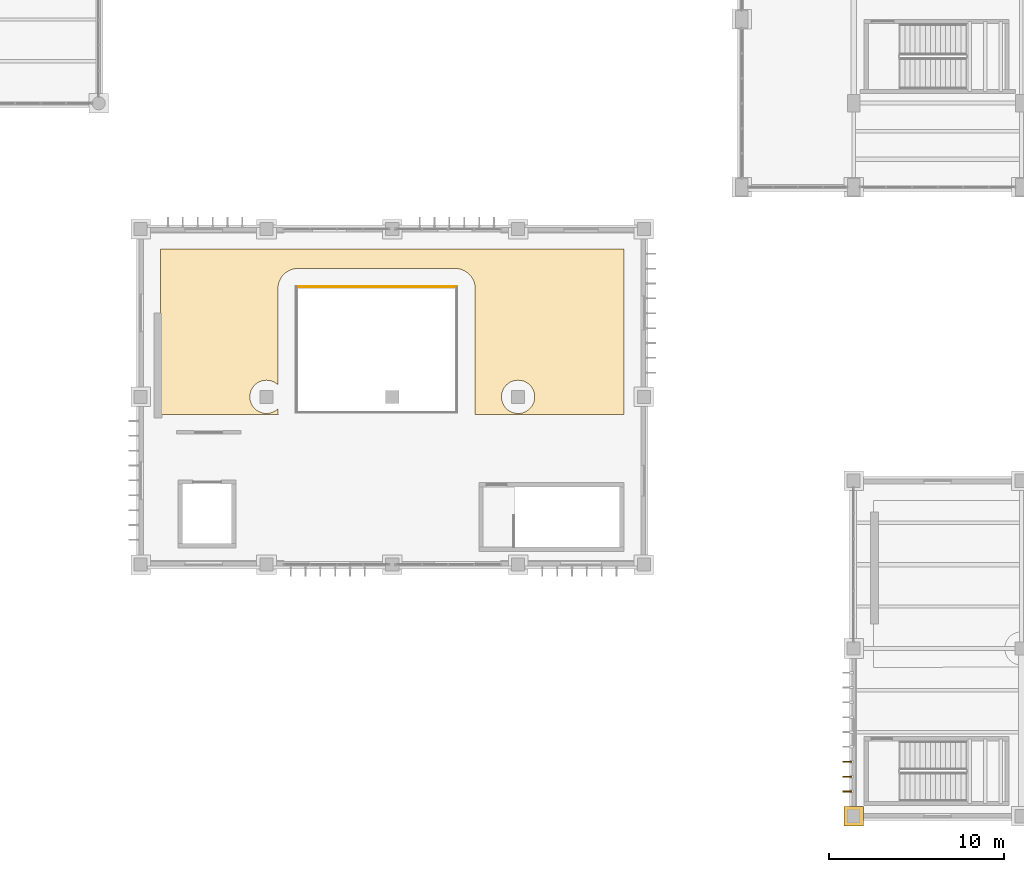
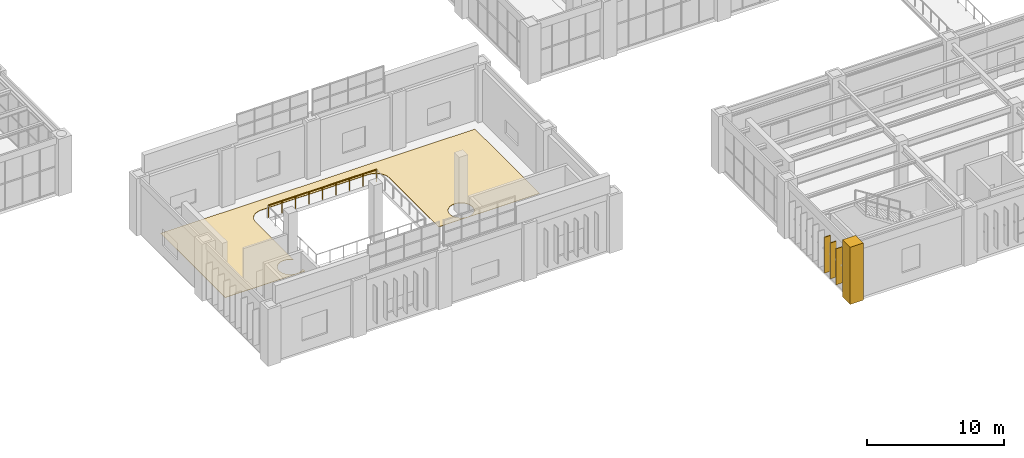
# One storey, part 159 of 174: 3 shading devices, 2 coverings, 1 railing.
"""IFC4 building model written with IfcOpenShell, lengths in metres."""

from ifc_helpers import new_model, si_unit, direction, frame, origin, origin_2d, place, context, subcontext, project, spatial, polyline, rectangle, circle, outline, extrude, material, layer, layer_set, type_object, element, save


model = new_model("IFC4")

# Units and contexts
model_context = context("Model", 3, precision=1e-05, world=origin(), true_north=direction((0.0, 1.0)))
body_context = subcontext(model_context, "Body", "Model", "MODEL_VIEW")
ifc_project = project(units=[si_unit("LENGTHUNIT", "METRE"), si_unit("AREAUNIT", "SQUARE_METRE"), si_unit("VOLUMEUNIT", "CUBIC_METRE"), si_unit("PLANEANGLEUNIT", "RADIAN"), si_unit("MASSUNIT", "GRAM", prefix="KILO")], contexts=[model_context])

# Site, building, storey
site_placement = place(None, origin())
site = spatial("IfcSite", under=ifc_project, at=site_placement, CompositionType="ELEMENT")
building_placement = place(site_placement, origin())
building = spatial("IfcBuilding", under=site, at=building_placement, Name="Mavantir Sound Aquarium", CompositionType="ELEMENT")
storey_placement = place(building_placement, frame((0.0, 0.0, 5.39990234375)))
storey = spatial("IfcBuildingStorey", under=building, at=storey_placement, Name="L01", CompositionType="ELEMENT", Elevation=5.39990234375)

# Coverings
ifc_material_1 = material(Name="Honed Coral-Limestone & Glazed Terracotta Rainscreen Cladding", Category="masonry")
ifc_layer_1 = layer(ifc_material_1, 0.06005859375, Name="Honed Coral-Limestone & Glazed Terracotta Rainscreen Cladding")
ifc_layer_set_1 = layer_set([ifc_layer_1], Name="Honed Coral-Limestone & Glazed Terracotta Rainscreen Cladding")
covering_type_1 = type_object("IfcCoveringType", Name="COV-CLAD-TC", PredefinedType="CLADDING", material=ifc_layer_set_1)
covering_1_placement = place(storey_placement, origin())
element("IfcCovering", 1, at=covering_1_placement, inside=storey, type_object=covering_type_1, Name="L01 Postmodern coral-limestone pilaster casing 418", PredefinedType="CLADDING", context=body_context, shape_type="SweptSolid", body=[
    extrude(outline(polyline([(107.43994140625, -0.56005859375), (108.56005859375, -0.56005859375), (108.56005859375, 0.56005859375), (107.43994140625, 0.56005859375), (107.43994140625, -0.56005859375)])), origin(), (0.0, 0.0, 1.0), 5.10009765625),
])
ifc_material_2 = material(Name="Marine Epoxy Recycled-Shell Terrazzo Flooring")
ifc_layer_2 = layer(ifc_material_2, 0.030029296875, Name="Marine Epoxy Recycled-Shell Terrazzo Flooring")
ifc_layer_set_2 = layer_set([ifc_layer_2], Name="Marine Epoxy Recycled-Shell Terrazzo Flooring")
covering_type_2 = type_object("IfcCoveringType", Name="COV-FLR-TZ", PredefinedType="FLOORING", material=ifc_layer_set_2)
covering_2_placement = place(storey_placement, origin())
element("IfcCovering", 2, at=covering_2_placement, inside=storey, type_object=covering_type_2, Name="L01 Harbour Promenade Orientation Mezzanine terrazzo flooring", PredefinedType="FLOORING", context=body_context, shape_type="SweptSolid", body=[
    extrude(outline(polyline([(94.860107421875, 32.4599609375), (94.860107421875, 23.0), (86.3212890625, 23.0), (86.325927734375, 23.023193359375), (86.329345703125, 23.04638671875), (86.337646484375, 23.130615234375), (86.3388671875, 23.154052734375), (86.340087890625, 23.199951171875), (86.340087890625, 30.199951171875), (86.3388671875, 30.245849609375), (86.337646484375, 30.269287109375), (86.329345703125, 30.353515625), (86.325927734375, 30.376708984375), (86.308837890625, 30.464111328125), (86.302978515625, 30.487060546875), (86.27587890625, 30.575927734375), (86.26806640625, 30.59814453125), (86.236328125, 30.67431640625), (86.226318359375, 30.695556640625), (86.183837890625, 30.775634765625), (86.171630859375, 30.7958984375), (86.122314453125, 30.86962890625), (86.108154296875, 30.888671875), (86.0517578125, 30.957275390625), (86.035888671875, 30.974609375), (85.974609375, 31.035888671875), (85.957275390625, 31.0517578125), (85.888671875, 31.108154296875), (85.86962890625, 31.122314453125), (85.7958984375, 31.171630859375), (85.775634765625, 31.183837890625), (85.695556640625, 31.226318359375), (85.67431640625, 31.236328125), (85.59814453125, 31.26806640625), (85.575927734375, 31.27587890625), (85.487060546875, 31.302978515625), (85.464111328125, 31.308837890625), (85.376708984375, 31.325927734375), (85.353515625, 31.329345703125), (85.269287109375, 31.337646484375), (85.245849609375, 31.3388671875), (85.199951171875, 31.340087890625), (76.199951171875, 31.340087890625), (76.154052734375, 31.3388671875), (76.130615234375, 31.337646484375), (76.04638671875, 31.329345703125), (76.023193359375, 31.325927734375), (75.935791015625, 31.308837890625), (75.912841796875, 31.302978515625), (75.823974609375, 31.27587890625), (75.802001953125, 31.26806640625), (75.7255859375, 31.236328125), (75.704345703125, 31.226318359375), (75.62451171875, 31.183837890625), (75.604248046875, 31.171630859375), (75.530517578125, 31.122314453125), (75.511474609375, 31.108154296875), (75.442626953125, 31.0517578125), (75.42529296875, 31.035888671875), (75.364013671875, 30.974609375), (75.34814453125, 30.957275390625), (75.291748046875, 30.888671875), (75.277587890625, 30.86962890625), (75.228271484375, 30.7958984375), (75.21630859375, 30.775634765625), (75.173583984375, 30.695556640625), (75.16357421875, 30.67431640625), (75.132080078125, 30.59814453125), (75.1240234375, 30.575927734375), (75.096923828125, 30.487060546875), (75.09130859375, 30.464111328125), (75.073974609375, 30.376708984375), (75.070556640625, 30.353515625), (75.0625, 30.269287109375), (75.061279296875, 30.245849609375), (75.06005859375, 30.199951171875), (75.06005859375, 24.682373046875), (75.002685546875, 24.734375), (74.927734375, 24.789794921875), (74.847900390625, 24.837890625), (74.763427734375, 24.877685546875), (74.67578125, 24.9091796875), (74.585205078125, 24.931640625), (74.4931640625, 24.9453125), (74.39990234375, 24.949951171875), (74.306884765625, 24.9453125), (74.214599609375, 24.931640625), (74.124267578125, 24.9091796875), (74.03662109375, 24.877685546875), (73.9521484375, 24.837890625), (73.872314453125, 24.789794921875), (73.79736328125, 24.734375), (73.728271484375, 24.671875), (73.66552734375, 24.602783203125), (73.610107421875, 24.52783203125), (73.562255859375, 24.44775390625), (73.522216796875, 24.363525390625), (73.490966796875, 24.27587890625), (73.46826171875, 24.185302734375), (73.45458984375, 24.093017578125), (73.449951171875, 24.0), (73.45458984375, 23.906982421875), (73.46826171875, 23.814697265625), (73.490966796875, 23.72412109375), (73.522216796875, 23.636474609375), (73.562255859375, 23.55224609375), (73.610107421875, 23.47216796875), (73.66552734375, 23.397216796875), (73.728271484375, 23.328125), (73.79736328125, 23.265625), (73.872314453125, 23.210205078125), (73.9521484375, 23.162109375), (74.03662109375, 23.122314453125), (74.124267578125, 23.0908203125), (74.214599609375, 23.068359375), (74.306884765625, 23.0546875), (74.39990234375, 23.050048828125), (74.4931640625, 23.0546875), (74.585205078125, 23.068359375), (74.67578125, 23.0908203125), (74.763427734375, 23.122314453125), (74.847900390625, 23.162109375), (74.927734375, 23.210205078125), (75.002685546875, 23.265625), (75.06005859375, 23.317626953125), (75.06005859375, 23.199951171875), (75.061279296875, 23.154052734375), (75.0625, 23.130615234375), (75.070556640625, 23.04638671875), (75.073974609375, 23.023193359375), (75.07861328125, 23.0), (68.340087890625, 23.0), (68.340087890625, 32.4599609375), (94.860107421875, 32.4599609375)]), holes=[polyline([(89.58984375, 23.47216796875), (89.6376953125, 23.55224609375), (89.677734375, 23.636474609375), (89.708984375, 23.72412109375), (89.731689453125, 23.814697265625), (89.745361328125, 23.906982421875), (89.75, 24.0), (89.745361328125, 24.093017578125), (89.731689453125, 24.185302734375), (89.708984375, 24.27587890625), (89.677734375, 24.363525390625), (89.6376953125, 24.44775390625), (89.58984375, 24.52783203125), (89.534423828125, 24.602783203125), (89.4716796875, 24.671875), (89.402587890625, 24.734375), (89.327880859375, 24.789794921875), (89.247802734375, 24.837890625), (89.16357421875, 24.877685546875), (89.07568359375, 24.9091796875), (88.9853515625, 24.931640625), (88.89306640625, 24.9453125), (88.800048828125, 24.949951171875), (88.706787109375, 24.9453125), (88.61474609375, 24.931640625), (88.524169921875, 24.9091796875), (88.4365234375, 24.877685546875), (88.352294921875, 24.837890625), (88.272216796875, 24.789794921875), (88.197265625, 24.734375), (88.128173828125, 24.671875), (88.065673828125, 24.602783203125), (88.010009765625, 24.52783203125), (87.962158203125, 24.44775390625), (87.92236328125, 24.363525390625), (87.890869140625, 24.27587890625), (87.868408203125, 24.185302734375), (87.8544921875, 24.093017578125), (87.85009765625, 24.0), (87.8544921875, 23.906982421875), (87.868408203125, 23.814697265625), (87.890869140625, 23.72412109375), (87.92236328125, 23.636474609375), (87.962158203125, 23.55224609375), (88.010009765625, 23.47216796875), (88.065673828125, 23.397216796875), (88.128173828125, 23.328125), (88.197265625, 23.265625), (88.272216796875, 23.210205078125), (88.352294921875, 23.162109375), (88.4365234375, 23.122314453125), (88.524169921875, 23.0908203125), (88.61474609375, 23.068359375), (88.706787109375, 23.0546875), (88.800048828125, 23.050048828125), (88.89306640625, 23.0546875), (88.9853515625, 23.068359375), (89.07568359375, 23.0908203125), (89.16357421875, 23.122314453125), (89.247802734375, 23.162109375), (89.327880859375, 23.210205078125), (89.402587890625, 23.265625), (89.4716796875, 23.328125), (89.534423828125, 23.397216796875), (89.58984375, 23.47216796875)])]), origin(), (0.0, 0.0, 1.0), 0.030029296875),
])

# Railing
ifc_material_3 = material(Name="Stainless Steel 316 and Laminated Glass Guardrail", Category="steel")
railing_type = type_object("IfcRailingType", Name="RL-GUARD-110", PredefinedType="GUARDRAIL", material=ifc_material_3)
railing_placement = place(storey_placement, frame((85.300048828125, 30.300048828125, 0.0)))
element("IfcRailing", 3, at=railing_placement, inside=storey, type_object=railing_type, Name="L01 atrium void N guardrail 97", PredefinedType="GUARDRAIL", context=body_context, shape_type="SweptSolid", body=[
    extrude(circle(Radius=0.02392578125, at=origin_2d()), frame((0.0, 0.0, 1.076171875), z_axis=(-1.0, 0.0, 0.0), x_axis=(0.0, -1.0, 0.0)), (0.0, 0.0, 1.0), 9.1201171875),
    extrude(circle(Radius=0.02099609375, at=origin_2d()), origin(), (0.0, 0.0, 1.0), 1.052001953125),
    extrude(circle(Radius=0.02099609375, at=origin_2d()), frame((-1.14013671875, 0.0, 0.0)), (0.0, 0.0, 1.0), 1.052001953125),
    extrude(circle(Radius=0.02099609375, at=origin_2d()), frame((-2.280029296875, 0.0, 0.0)), (0.0, 0.0, 1.0), 1.052001953125),
    extrude(circle(Radius=0.02099609375, at=origin_2d()), frame((-3.419921875, 0.0, 0.0)), (0.0, 0.0, 1.0), 1.052001953125),
    extrude(circle(Radius=0.02099609375, at=origin_2d()), frame((-4.56005859375, 0.0, 0.0)), (0.0, 0.0, 1.0), 1.052001953125),
    extrude(circle(Radius=0.02099609375, at=origin_2d()), frame((-5.7001953125, 0.0, 0.0)), (0.0, 0.0, 1.0), 1.052001953125),
    extrude(circle(Radius=0.02099609375, at=origin_2d()), frame((-6.840087890625, 0.0, 0.0)), (0.0, 0.0, 1.0), 1.052001953125),
    extrude(circle(Radius=0.02099609375, at=origin_2d()), frame((-7.97998046875, 0.0, 0.0)), (0.0, 0.0, 1.0), 1.052001953125),
    extrude(circle(Radius=0.02099609375, at=origin_2d()), frame((-9.1201171875, 0.0, 0.0)), (0.0, 0.0, 1.0), 1.052001953125),
])

# Shading devices
ifc_material_4 = material(Name="Anodised Terracotta-Finish Aluminium Brise-Soleil", Category="masonry")
shading_device_type = type_object("IfcShadingDeviceType", Name="SHD-FIN-520", PredefinedType="JALOUSIE", material=ifc_material_4)
for number, where, z_axis, x_axis, name in (
    (4, (107.639892578125, 3.116943359375, 0.60302734375), (0.0, 0.0, 1.0), (0.0, 1.0, 0.0), "Tropical solar brise-soleil fin 53"),
    (5, (107.639892578125, 2.26708984375, 0.60302734375), (0.0, 0.0, 1.0), (0.0, 1.0, 0.0), "Tropical solar brise-soleil fin 54"),
    (6, (107.639892578125, 1.4169921875, 0.60302734375), (0.0, 0.0, 1.0), (0.0, 1.0, 0.0), "Tropical solar brise-soleil fin 55"),
):
    element("IfcShadingDevice", number, at=place(storey_placement, frame(where, z_axis=z_axis, x_axis=x_axis)), inside=storey, type_object=shading_device_type, Name=name, PredefinedType="JALOUSIE", context=body_context, shape_type="SweptSolid", body=[
        extrude(rectangle(XDim=0.06494140625, YDim=0.52001953125, at=origin_2d()), origin(), (0.0, 0.0, 1.0), 3.199951171875),
    ])

save(model, "model.ifc")
